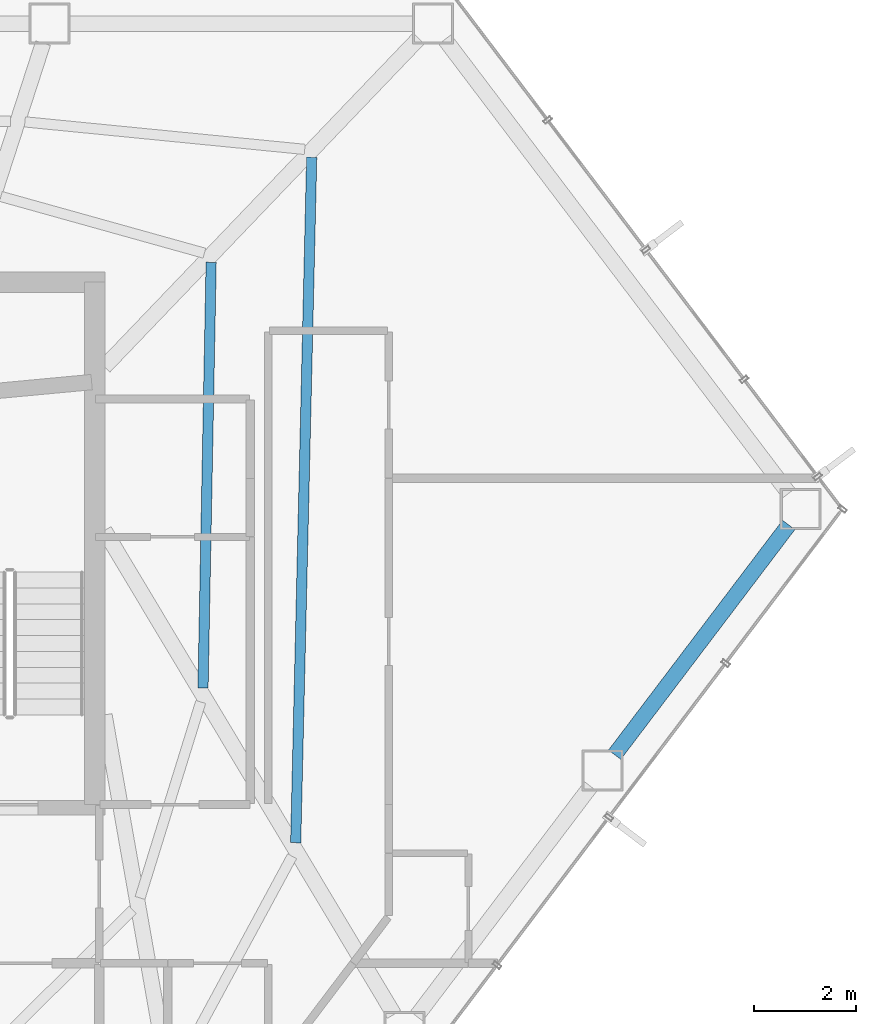
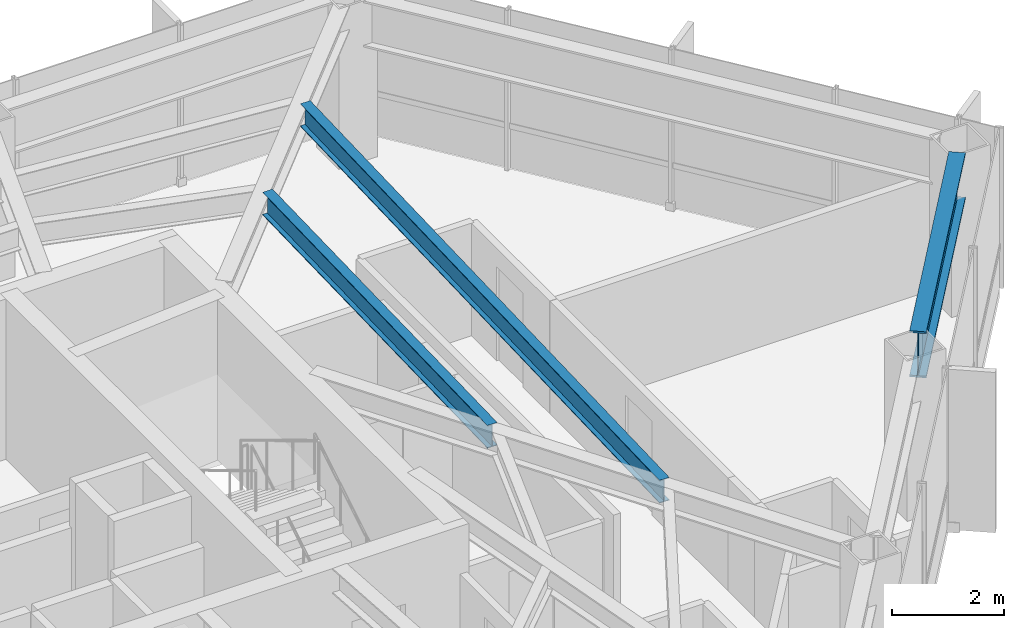
# One storey, part 20 of 29: 3 beams.
"""IFC4 building model written with IfcOpenShell, lengths in metres."""

from ifc_helpers import new_model, si_unit, direction, frame, origin, origin_2d, place, context, subcontext, project, spatial, i_section, extrude, material, material_profile, profile_set, type_object, element, save


model = new_model("IFC4")

# Units and contexts
model_context = context("Model", 3, precision=1e-05, world=origin(), true_north=direction((0.0, 1.0)))
body_context = subcontext(model_context, "Body", "Model", "MODEL_VIEW")
ifc_project = project(units=[si_unit("LENGTHUNIT", "METRE"), si_unit("AREAUNIT", "SQUARE_METRE"), si_unit("VOLUMEUNIT", "CUBIC_METRE"), si_unit("PLANEANGLEUNIT", "RADIAN"), si_unit("MASSUNIT", "GRAM", prefix="KILO")], contexts=[model_context])

# Site, building, storey
site_placement = place(None, origin())
site = spatial("IfcSite", under=ifc_project, at=site_placement, CompositionType="ELEMENT")
building_placement = place(site_placement, origin())
building = spatial("IfcBuilding", under=site, at=building_placement, Name="Zarrinselat Tower", CompositionType="ELEMENT")
storey_placement = place(building_placement, frame((0.0, 0.0, 134.639892578125)))
storey = spatial("IfcBuildingStorey", under=building, at=storey_placement, Name="L32", CompositionType="ELEMENT", Elevation=134.639892578125)

# Beams
ifc_material_1 = material(Name="Steel S460M", Category="steel")
ifc_material_profile_1 = material_profile(ifc_material_1, i_section(OverallWidth=0.302001953125, OverallDepth=1.008056640625, WebThickness=0.02099609375, FlangeThickness=0.0400390625, at=origin_2d()), Name="HEM 1000")
ifc_profile_set_1 = profile_set([ifc_material_profile_1], Name="Steel S460M")
beam_type_1 = type_object("IfcBeamType", Name="BM-HEM1000", PredefinedType="BEAM", material=ifc_profile_set_1)
beam_1_placement = place(storey_placement, frame((58.412841796875, 34.223388671875, 2.99609375), z_axis=(0.603878561397, 0.797076334541, 0.0), x_axis=(-0.797076334541, 0.603878561397, 0.0)))
element("IfcBeam", 1, at=beam_1_placement, inside=storey, type_object=beam_type_1, Name="L32 Perimeter Spandrel Girder SP14", PredefinedType="BEAM", context=body_context, shape_type="SweptSolid", body=[
    extrude(i_section(OverallWidth=0.302001953125, OverallDepth=1.008056640625, WebThickness=0.02099609375, FlangeThickness=0.0400390625, at=origin_2d()), origin(), (0.0, 0.0, 1.0), 5.629638671875),
])
ifc_material_2 = material(Name="Steel S355J2", Category="steel")
ifc_material_profile_2 = material_profile(ifc_material_2, i_section(OverallWidth=0.199951171875, OverallDepth=0.5, WebThickness=0.01025390625, FlangeThickness=0.01611328125, at=origin_2d()), Name="IPE 500")
ifc_profile_set_2 = profile_set([ifc_material_profile_2], Name="Steel S355J2")
beam_type_2 = type_object("IfcBeamType", Name="BM-IPE500", PredefinedType="JOIST", material=ifc_profile_set_2)
beam_2_placement = place(storey_placement, frame((52.184814453125, 32.5048828125, 3.25), z_axis=(0.023339801828, 0.999727589722, 0.0), x_axis=(-0.999727589722, 0.023339801828, 0.0)))
element("IfcBeam", 2, at=beam_2_placement, inside=storey, type_object=beam_type_2, Name="L32 Composite Floor Joist 5-1", PredefinedType="JOIST", context=body_context, shape_type="SweptSolid", body=[
    extrude(i_section(OverallWidth=0.199951171875, OverallDepth=0.5, WebThickness=0.01025390625, FlangeThickness=0.01611328125, at=origin_2d()), origin(), (0.0, 0.0, 1.0), 13.38916015625),
])
beam_3_placement = place(storey_placement, frame((50.375, 35.52783203125, 3.25), z_axis=(0.019118817101, 0.999817218712, 0.0), x_axis=(-0.999817218712, 0.019118817101, 0.0)))
element("IfcBeam", 3, at=beam_3_placement, inside=storey, type_object=beam_type_2, Name="L32 Composite Floor Joist 5-2", PredefinedType="JOIST", context=body_context, shape_type="SweptSolid", body=[
    extrude(i_section(OverallWidth=0.199951171875, OverallDepth=0.5, WebThickness=0.01025390625, FlangeThickness=0.01611328125, at=origin_2d()), origin(), (0.0, 0.0, 1.0), 8.31298828125),
])

save(model, "model.ifc")
